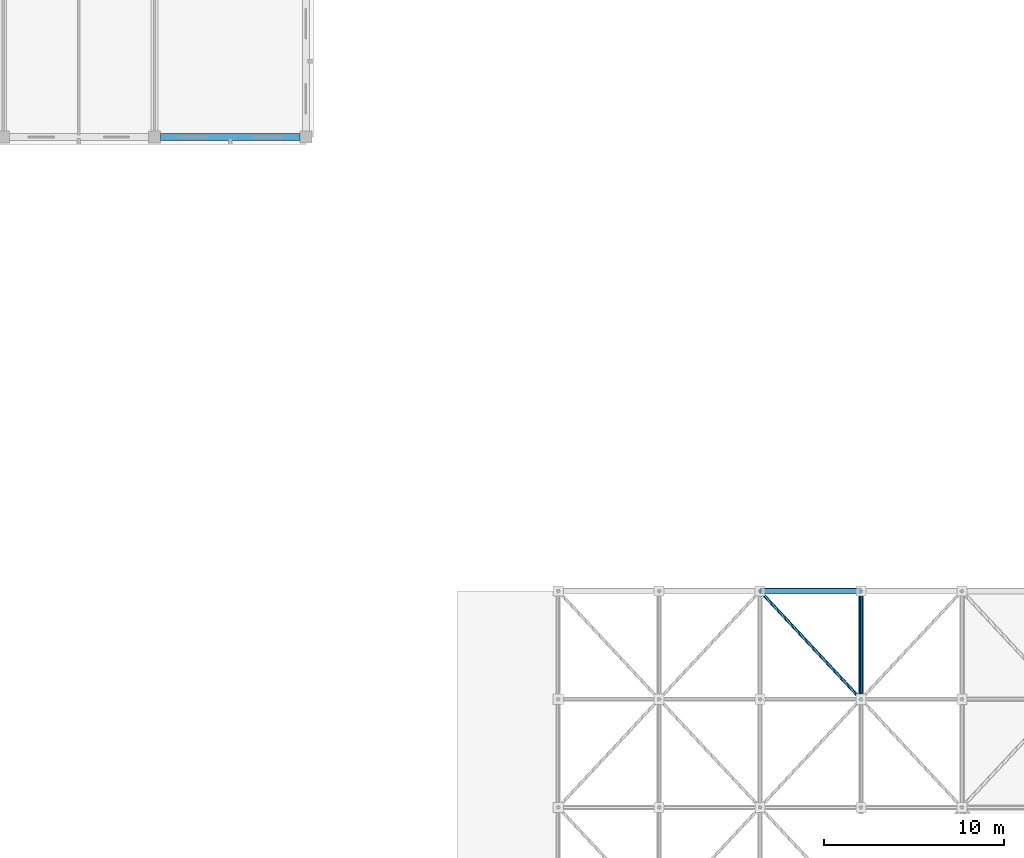
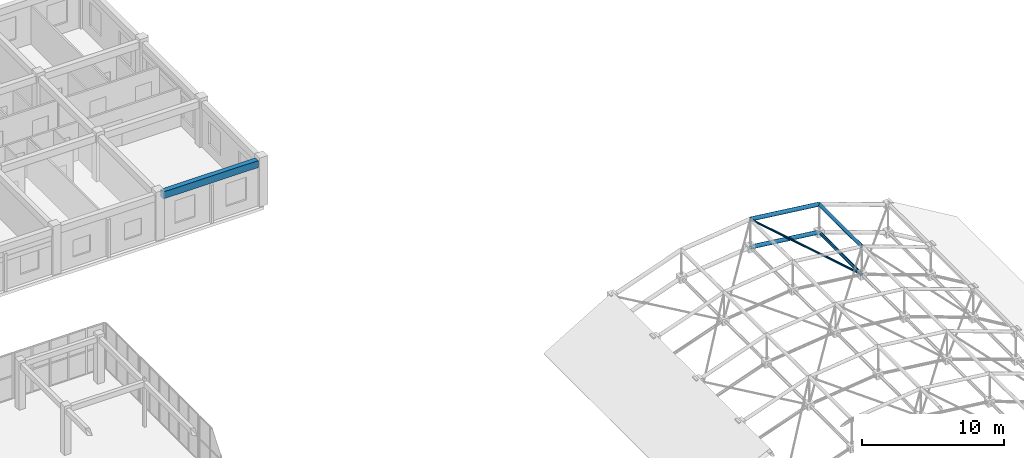
# One storey, part 93 of 140: 5 members, 1 beam.
"""IFC4 building model written with IfcOpenShell, lengths in metres."""

from ifc_helpers import new_model, si_unit, direction, frame, origin, origin_2d, place, context, subcontext, project, spatial, rectangle, hollow_circle, extrude, material, material_profile, profile_set, type_object, element, save


model = new_model("IFC4")

# Units and contexts
model_context = context("Model", 3, precision=1e-05, world=origin(), true_north=direction((0.0, 1.0)))
body_context = subcontext(model_context, "Body", "Model", "MODEL_VIEW")
ifc_project = project(units=[si_unit("LENGTHUNIT", "METRE"), si_unit("AREAUNIT", "SQUARE_METRE"), si_unit("VOLUMEUNIT", "CUBIC_METRE"), si_unit("PLANEANGLEUNIT", "RADIAN"), si_unit("MASSUNIT", "GRAM", prefix="KILO")], contexts=[model_context])

# Site, building, storey
site_placement = place(None, origin())
site = spatial("IfcSite", under=ifc_project, at=site_placement, CompositionType="ELEMENT")
building_placement = place(site_placement, origin())
building = spatial("IfcBuilding", under=site, at=building_placement, Name="Trelvath General Hospital", CompositionType="ELEMENT")
storey_placement = place(building_placement, frame((0.0, 0.0, 16.199951171875)))
storey = spatial("IfcBuildingStorey", under=building, at=storey_placement, Name="L04", CompositionType="ELEMENT", Elevation=16.199951171875)

# Beam
ifc_material_1 = material(Name="Concrete C35/45", Category="concrete")
ifc_material_profile_1 = material_profile(ifc_material_1, rectangle(XDim=0.39990234375, YDim=0.60009765625, at=origin_2d()), Name="RCB400x600")
ifc_profile_set_1 = profile_set([ifc_material_profile_1], Name="Concrete C35/45")
beam_type = type_object("IfcBeamType", Name="Beam RC400x600", PredefinedType="BEAM", material=ifc_profile_set_1)
beam_placement = place(storey_placement, frame((126.3349609375, 92.39990234375, 3.6201171875), z_axis=(1.0, 0.0, 0.0), x_axis=(0.0, 1.0, 0.0)))
element("IfcBeam", 1, at=beam_placement, inside=storey, type_object=beam_type, Name="Grid Beam BX-415L", PredefinedType="BEAM", context=body_context, shape_type="SweptSolid", body=[
    extrude(rectangle(XDim=0.39990234375, YDim=0.60009765625, at=origin_2d()), origin(), (0.0, 0.0, 1.0), 7.72998046875),
])

# Members
ifc_material_2 = material(Name="Steel S355", Category="steel")
ifc_material_profile_2 = material_profile(ifc_material_2, hollow_circle(Radius=0.122314453125, WallThickness=0.010009765625, at=origin_2d()), Name="CHS244.5x10.0")
ifc_profile_set_2 = profile_set([ifc_material_profile_2], Name="Steel S355")
member_type_1 = type_object("IfcMemberType", Name="SpaceFrameBottomChord CHS244", PredefinedType="CHORD", material=ifc_profile_set_2)
member_1_placement = place(storey_placement, frame((165.199951171875, 61.199951171875, 2.033447265625), z_axis=(0.0, 1.0, 0.0), x_axis=(-1.0, 0.0, 0.0)))
element("IfcMember", 2, at=member_1_placement, inside=storey, type_object=member_type_1, Name="Space Frame Bottom Chord Y 5-7", PredefinedType="CHORD", context=body_context, shape_type="SweptSolid", body=[
    extrude(hollow_circle(Radius=0.122314453125, WallThickness=0.010009765625, at=origin_2d()), origin(), (0.0, 0.0, 1.0), 6.0),
])
ifc_material_3 = material(Name="Steel S355", Category="steel")
ifc_material_profile_3 = material_profile(ifc_material_3, hollow_circle(Radius=0.084228515625, WallThickness=0.008056640625, at=origin_2d()), Name="CHS168.3x8.0")
ifc_profile_set_3 = profile_set([ifc_material_profile_3], Name="Steel S355")
member_type_2 = type_object("IfcMemberType", Name="SpaceFrameDiagStd CHS168", PredefinedType="BRACE", material=ifc_profile_set_3)
member_2_placement = place(storey_placement, frame((165.199951171875, 61.199951171875, 2.033447265625), z_axis=(-0.639148147201, 0.684819499743, 0.350016997732), x_axis=(-0.731064171106, -0.682308711453, 0.0)))
element("IfcMember", 3, at=member_2_placement, inside=storey, type_object=member_type_2, Name="Space Frame Web Diagonal B 4-7", PredefinedType="BRACE", context=body_context, shape_type="SweptSolid", body=[
    extrude(hollow_circle(Radius=0.084228515625, WallThickness=0.008056640625, at=origin_2d()), origin(), (0.0, 0.0, 1.0), 8.761474609375),
])
ifc_material_4 = material(Name="Steel S355", Category="steel")
ifc_material_profile_4 = material_profile(ifc_material_4, hollow_circle(Radius=0.161865234375, WallThickness=0.012451171875, at=origin_2d()), Name="CHS323.9x12.5")
ifc_profile_set_4 = profile_set([ifc_material_profile_4], Name="Steel S355")
member_type_3 = type_object("IfcMemberType", Name="SpaceFrameEdgeChord CHS323", PredefinedType="CHORD", material=ifc_profile_set_4)
for number, where, z_axis, x_axis, name in (
    (4, (159.60009765625, 67.199951171875, 2.699951171875), (0.992991298752, 0.0, -0.118187480734), (0.0, 1.0, 0.0), "Space Frame Bottom Chord X 4-8"),
    (5, (159.60009765625, 67.199951171875, 5.10009765625), (0.992986217135, 0.0, -0.118230167807), (0.0, 1.0, 0.0), "Space Frame Top Chord X 4-8"),
):
    element("IfcMember", number, at=place(storey_placement, frame(where, z_axis=z_axis, x_axis=x_axis)), inside=storey, type_object=member_type_3, Name=name, PredefinedType="CHORD", context=body_context, shape_type="SweptSolid", body=[
        extrude(hollow_circle(Radius=0.161865234375, WallThickness=0.012451171875, at=origin_2d()), origin(), (0.0, 0.0, 1.0), 5.639404296875),
    ])
ifc_material_5 = material(Name="Steel S355", Category="steel")
ifc_material_profile_5 = material_profile(ifc_material_5, hollow_circle(Radius=0.136474609375, WallThickness=0.012451171875, at=origin_2d()), Name="CHS273.0x12.5")
ifc_profile_set_5 = profile_set([ifc_material_profile_5], Name="Steel S355")
member_type_4 = type_object("IfcMemberType", Name="SpaceFrameTopChord CHS273", PredefinedType="CHORD", material=ifc_profile_set_5)
member_3_placement = place(storey_placement, frame((165.199951171875, 61.199951171875, 4.433349609375), z_axis=(0.0, 1.0, 0.0), x_axis=(-1.0, 0.0, 0.0)))
element("IfcMember", 6, at=member_3_placement, inside=storey, type_object=member_type_4, Name="Space Frame Top Chord Y 5-7", PredefinedType="CHORD", context=body_context, shape_type="SweptSolid", body=[
    extrude(hollow_circle(Radius=0.136474609375, WallThickness=0.012451171875, at=origin_2d()), origin(), (0.0, 0.0, 1.0), 6.0),
])

save(model, "model.ifc")
